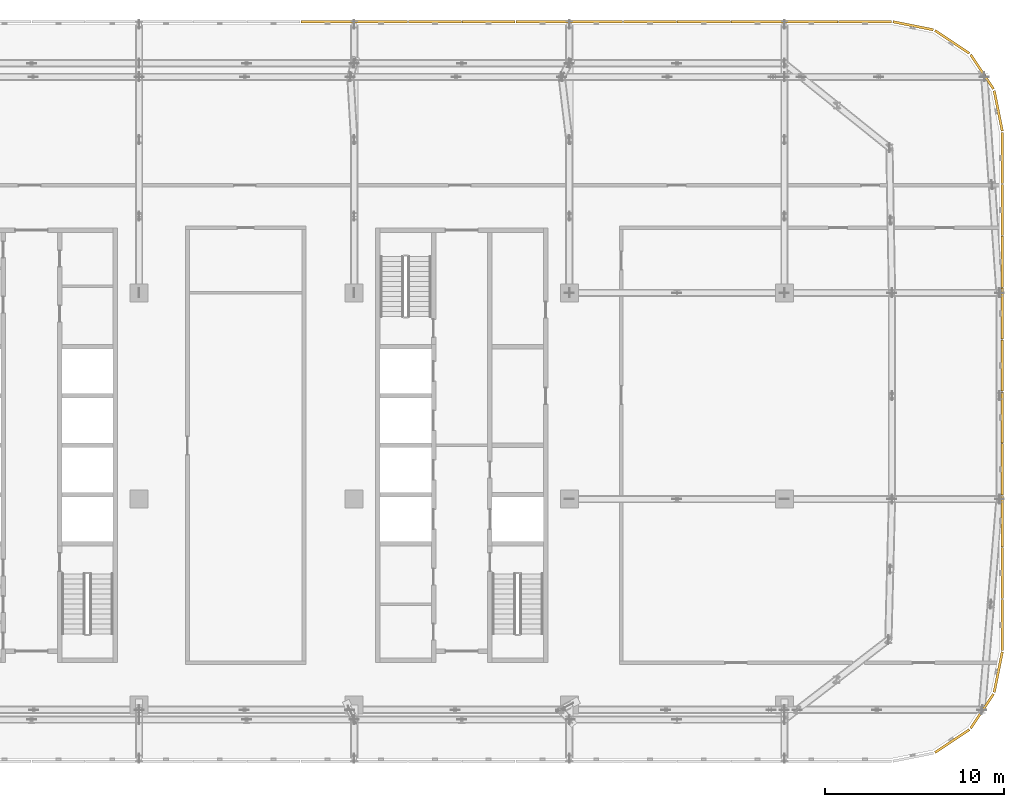
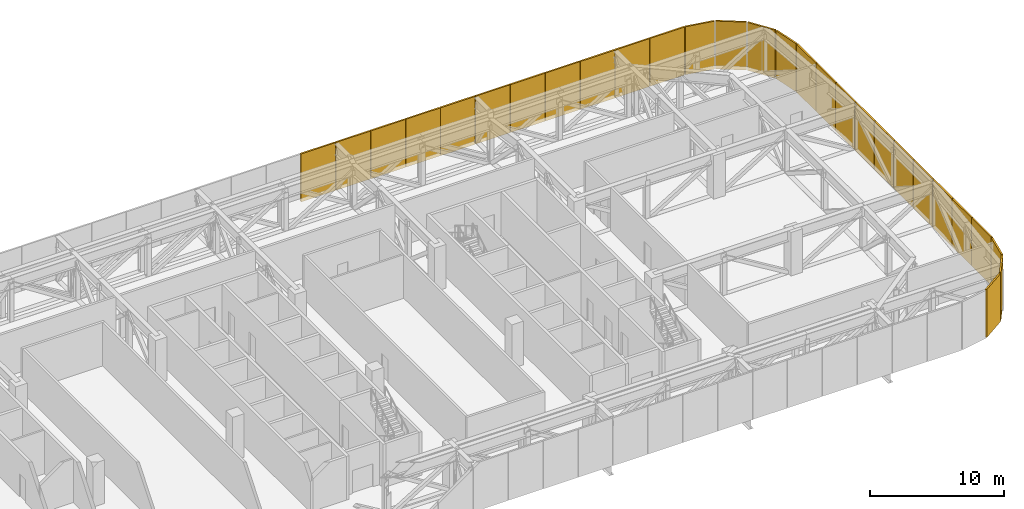
# One storey, part 29 of 29: 28 coverings.
"""IFC4 building model written with IfcOpenShell, lengths in metres."""

import ifcopenshell
import ifcopenshell.guid

model = None  # the IFC model being written
_history = None  # IfcOwnerHistory: only IFC2X3 demands one
_inside = {}  # id of a spatial element -> (the spatial element, [elements in it])
_under = {}  # id of a project, library or spatial element -> (it, [spatial elements below it])
_declared = {}  # id of a project -> (the project, [libraries it declares])
_typed = {}  # id of a type object -> (the type object, [elements of that type])
_made_of = {}  # id of a material, layer set ... -> (it, [elements and type objects made of it])


def new_model(schema):
    """Start an empty IFC model of exactly this schema.

    Asked for "IFC4X3", IfcOpenShell would pick the latest addendum, in which some entities
    have other attributes; the version numbers below select the first issue.
    IFC2X3 requires an IfcOwnerHistory on every rooted entity: one is made here for all.
    """
    global model, _history
    if schema == "IFC4X3":
        model = ifcopenshell.file(schema_version=(4, 3, 0, 0))
    else:
        model = ifcopenshell.file(schema=schema)
    _inside.clear()
    _under.clear()
    _declared.clear()
    _typed.clear()
    _made_of.clear()
    _history = None
    if model.schema == "IFC2X3":
        org = make("IfcOrganization", Name="unknown")
        user = make(
            "IfcPersonAndOrganization",
            ThePerson=make("IfcPerson", FamilyName="unknown"),
            TheOrganization=org,
        )
        app = make(
            "IfcApplication",
            ApplicationDeveloper=org,
            Version="unknown",
            ApplicationFullName="unknown",
            ApplicationIdentifier="unknown",
        )
        _history = make(
            "IfcOwnerHistory",
            OwningUser=user,
            OwningApplication=app,
            ChangeAction="ADDED",
            CreationDate=0,
        )
    return model


def make(cls, **values):
    """One entity of the class cls with the attributes given. An attribute that is None is left unset."""
    return model.create_entity(
        cls, **{name: value for name, value in values.items() if value is not None}
    )


def rooted(cls, **values):
    """An entity with a GlobalId (a new one), such as an element, a storey or a relation."""
    return make(cls, GlobalId=ifcopenshell.guid.new(), OwnerHistory=_history, **values)


def si_unit(unit_type, name, prefix=None):
    """IfcSIUnit, for example si_unit("LENGTHUNIT", "METRE", prefix="MILLI")."""
    return make("IfcSIUnit", UnitType=unit_type, Prefix=prefix, Name=name)


def assignment(units):
    """IfcUnitAssignment: the units of a project."""
    return None if units is None else make("IfcUnitAssignment", Units=units)


def point(xyz):
    """IfcCartesianPoint."""
    return None if xyz is None else make("IfcCartesianPoint", Coordinates=xyz)


def direction(xyz):
    """IfcDirection."""
    return None if xyz is None else make("IfcDirection", DirectionRatios=xyz)


def frame(location, z_axis=None, x_axis=None):
    """IfcAxis2Placement3D, a coordinate frame: its origin and axes. An axis left out is left unset."""
    return make(
        "IfcAxis2Placement3D",
        Location=point(location),
        Axis=direction(z_axis),
        RefDirection=direction(x_axis),
    )


def frame_2d(location, x_axis=None):
    """IfcAxis2Placement2D, a coordinate frame in the plane: its origin and x axis."""
    return make(
        "IfcAxis2Placement2D", Location=point(location), RefDirection=direction(x_axis)
    )


def origin():
    """The frame at (0, 0, 0) with its axes left unset."""
    return frame((0.0, 0.0, 0.0))


def origin_2d():
    """The frame at (0, 0) in the plane with its x axis left unset."""
    return frame_2d((0.0, 0.0))


def place(relative_to, where):
    """IfcLocalPlacement: puts the frame where relative to a parent placement (None: the world)."""
    return make(
        "IfcLocalPlacement", PlacementRelTo=relative_to, RelativePlacement=where
    )


def context(
    kind, dimensions, precision=None, world=None, true_north=None, identifier=None
):
    """IfcGeometricRepresentationContext, for example the 3D "Model" context."""
    return make(
        "IfcGeometricRepresentationContext",
        ContextIdentifier=identifier,
        ContextType=kind,
        CoordinateSpaceDimension=dimensions,
        Precision=precision,
        WorldCoordinateSystem=world,
        TrueNorth=true_north,
    )


def subcontext(parent, identifier, kind, view, scale=None):
    """IfcGeometricRepresentationSubContext, for example "Body" below "Model"."""
    return make(
        "IfcGeometricRepresentationSubContext",
        ContextIdentifier=identifier,
        ContextType=kind,
        ParentContext=parent,
        TargetScale=scale,
        TargetView=view,
    )


def project(units=None, contexts=None):
    """IfcProject with its units and contexts."""
    return rooted(
        "IfcProject",
        Name="project",
        RepresentationContexts=contexts,
        UnitsInContext=assignment(units),
    )


def spatial(cls, under=None, at=None, **own):
    """A site, building, storey or space (cls), placed at a placement, below another one or the project."""
    s = rooted(cls, ObjectPlacement=at, **own)
    if under is not None:
        _under.setdefault(under.id(), (under, []))[1].append(s)
    return s


def profile(cls, at=None, kind="AREA", **sizes):
    """A parametric profile (cls). Its sizes go by their IFC names, for example OverallWidth=200.0."""
    return make(cls, ProfileType=kind, Position=at, **sizes)


def rectangle(**sizes):
    """IfcRectangleProfileDef."""
    return profile("IfcRectangleProfileDef", **sizes)


def extrude(swept, where, along, depth):
    """IfcExtrudedAreaSolid: the profile swept, set in the frame where, extruded along a direction by depth."""
    return make(
        "IfcExtrudedAreaSolid",
        SweptArea=swept,
        Position=where,
        ExtrudedDirection=direction(along),
        Depth=depth,
    )


def shape(context_of_items, identifier, shape_type, items):
    """IfcShapeRepresentation: the items that make up one representation, for example the "Body"."""
    return make(
        "IfcShapeRepresentation",
        ContextOfItems=context_of_items,
        RepresentationIdentifier=identifier,
        RepresentationType=shape_type,
        Items=items,
    )


def material(Name=None, Category=None):
    """IfcMaterial."""
    return make("IfcMaterial", Name=Name, Category=Category)


def made_of(thing, what):
    """Note that an element or type object is made of a material, layer set ...; save() writes the relation."""
    if what is not None:
        _made_of.setdefault(what.id(), (what, []))[1].append(thing)
    return thing


def type_object(cls, material=None, **own):
    """A type object (cls), such as IfcWallType, which elements share."""
    return made_of(rooted(cls, **own), material)


def element(
    cls,
    number,
    at=None,
    inside=None,
    cuts=None,
    type_object=None,
    material=None,
    context=None,
    identifier="Body",
    shape_type=None,
    held_by="IfcProductDefinitionShape",
    body=None,
    shapes=None,
    **own,
):
    """One element of the class cls, such as IfcWall. Its Tag is "e" and its number.

    at: its placement. inside: the storey or other place that contains it. cuts: it is an
    opening in that element (IfcRelVoidsElement). A single representation is given by context,
    identifier, shape_type and body (its items); several are given by shapes. held_by: the class
    of the entity that holds the representations. save() writes the other relations.
    """
    e = rooted(cls, Tag="e%d" % number, ObjectPlacement=at, **own)
    if body is not None:
        shapes = [shape(context, identifier, shape_type, body)]
    if shapes is not None:
        e.Representation = make(held_by, Representations=shapes)
    if inside is not None:
        _inside.setdefault(inside.id(), (inside, []))[1].append(e)
    if cuts is not None:
        rooted(
            "IfcRelVoidsElement", RelatingBuildingElement=cuts, RelatedOpeningElement=e
        )
    if type_object is not None:
        _typed.setdefault(type_object.id(), (type_object, []))[1].append(e)
    return made_of(e, material)


def aggregate(whole, parts):
    """IfcRelAggregates: a whole, such as a stair, and the parts it consists of."""
    return rooted("IfcRelAggregates", RelatingObject=whole, RelatedObjects=parts)


def save(model, path):
    """Write the relations noted so far, then the file.

    IfcRelAggregates (storeys below a building ...), IfcRelContainedInSpatialStructure (elements
    in a storey), IfcRelDefinesByType, IfcRelAssociatesMaterial and IfcRelDeclares: one each for
    every whole, place, type object, material and project.
    """
    for whole, parts in _under.values():
        aggregate(whole, parts)
    for where, things in _inside.values():
        rooted(
            "IfcRelContainedInSpatialStructure",
            RelatedElements=things,
            RelatingStructure=where,
        )
    for kind, things in _typed.values():
        rooted("IfcRelDefinesByType", RelatedObjects=things, RelatingType=kind)
    for what, things in _made_of.values():
        rooted("IfcRelAssociatesMaterial", RelatedObjects=things, RelatingMaterial=what)
    for by, libraries in _declared.values():
        rooted("IfcRelDeclares", RelatingContext=by, RelatedDefinitions=libraries)
    model.write(path)


model = new_model("IFC4")

# Units and contexts
model_context = context("Model", 3, precision=1e-05, world=origin(), true_north=direction((0.0, 1.0)))
body_context = subcontext(model_context, "Body", "Model", "MODEL_VIEW")
ifc_project = project(units=[si_unit("LENGTHUNIT", "METRE"), si_unit("AREAUNIT", "SQUARE_METRE"), si_unit("VOLUMEUNIT", "CUBIC_METRE"), si_unit("PLANEANGLEUNIT", "RADIAN"), si_unit("MASSUNIT", "GRAM", prefix="KILO")], contexts=[model_context])

# Site, building, storey
site_placement = place(None, origin())
site = spatial("IfcSite", under=ifc_project, at=site_placement, CompositionType="ELEMENT")
building_placement = place(site_placement, origin())
building = spatial("IfcBuilding", under=site, at=building_placement, Name="Mahtab Terrace Research Tower", CompositionType="ELEMENT")
storey_placement = place(building_placement, frame((0.0, 0.0, 259.0)))
storey = spatial("IfcBuildingStorey", under=building, at=storey_placement, Name="L63", CompositionType="ELEMENT", Elevation=259.0)

# Coverings
ifc_material = material(Name="Natural anodised aluminium", Category="aluminium")
covering_type = type_object("IfcCoveringType", Name="Plant storey louvre bay", PredefinedType="CLADDING", material=ifc_material)
for number, where, z_axis, x_axis, name in (
    (1, (51.3583984375, -13.4990234375, -0.39990234375), (0.0, 0.0, 1.0), (0.831655794326, 0.555291490808, 0.0), "Louvre bay L63 31"),
    (2, (53.026123046875, -11.831298828125, -0.39990234375), (0.0, 0.0, 1.0), (0.555291490808, 0.831655794326, 0.0), "Louvre bay L63 32"),
    (3, (53.928466796875, -9.65234375, -0.39990234375), (0.0, 0.0, 1.0), (0.195212442692, 0.980760981187, 0.0), "Louvre bay L63 33"),
):
    element("IfcCovering", number, at=place(storey_placement, frame(where, z_axis=z_axis, x_axis=x_axis)), inside=storey, type_object=covering_type, Name=name, PredefinedType="CLADDING", context=body_context, shape_type="SweptSolid", body=[
        extrude(rectangle(XDim=2.301025390625, YDim=0.139892578125, at=origin_2d()), origin(), (0.0, 0.0, 1.0), 4.360107421875),
    ])
for number, where, z_axis, x_axis, name in (
    (4, (54.159912109375, -7.025634765625, -0.39990234375), (0.0, 0.0, 1.0), (0.0, 1.0, 0.0), "Louvre bay L63 34"),
    (5, (54.159912109375, -4.131103515625, -0.39990234375), (0.0, 0.0, 1.0), (0.0, 1.0, 0.0), "Louvre bay L63 35"),
    (6, (54.159912109375, -1.236572265625, -0.39990234375), (0.0, 0.0, 1.0), (0.0, 1.0, 0.0), "Louvre bay L63 36"),
    (7, (54.159912109375, 1.658203125, -0.39990234375), (0.0, 0.0, 1.0), (0.0, 1.0, 0.0), "Louvre bay L63 37"),
    (8, (54.159912109375, 4.552734375, -0.39990234375), (0.0, 0.0, 1.0), (0.0, 1.0, 0.0), "Louvre bay L63 38"),
    (9, (54.159912109375, 7.447265625, -0.39990234375), (0.0, 0.0, 1.0), (0.0, 1.0, 0.0), "Louvre bay L63 39"),
    (10, (54.159912109375, 10.341796875, -0.39990234375), (0.0, 0.0, 1.0), (0.0, 1.0, 0.0), "Louvre bay L63 40"),
    (11, (54.159912109375, 13.236572265625, -0.39990234375), (0.0, 0.0, 1.0), (0.0, 1.0, 0.0), "Louvre bay L63 41"),
    (12, (54.159912109375, 16.131103515625, -0.39990234375), (0.0, 0.0, 1.0), (0.0, 1.0, 0.0), "Louvre bay L63 42"),
    (13, (54.159912109375, 19.025634765625, -0.39990234375), (0.0, 0.0, 1.0), (0.0, 1.0, 0.0), "Louvre bay L63 43"),
):
    element("IfcCovering", number, at=place(storey_placement, frame(where, z_axis=z_axis, x_axis=x_axis)), inside=storey, type_object=covering_type, Name=name, PredefinedType="CLADDING", context=body_context, shape_type="SweptSolid", body=[
        extrude(rectangle(XDim=2.8544921875, YDim=0.139892578125, at=origin_2d()), origin(), (0.0, 0.0, 1.0), 4.360107421875),
    ])
for number, where, z_axis, x_axis, name in (
    (14, (53.928466796875, 21.65234375, -0.39990234375), (0.0, 0.0, 1.0), (-0.195212442692, 0.980760981187, 0.0), "Louvre bay L63 44"),
    (15, (53.026123046875, 23.831298828125, -0.39990234375), (0.0, 0.0, 1.0), (-0.555291490808, 0.831655794326, 0.0), "Louvre bay L63 45"),
    (16, (51.3583984375, 25.4990234375, -0.39990234375), (0.0, 0.0, 1.0), (-0.831655794326, 0.555291490808, 0.0), "Louvre bay L63 46"),
    (17, (49.17919921875, 26.4013671875, -0.39990234375), (0.0, 0.0, 1.0), (-0.980760981187, 0.195212442692, 0.0), "Louvre bay L63 47"),
):
    element("IfcCovering", number, at=place(storey_placement, frame(where, z_axis=z_axis, x_axis=x_axis)), inside=storey, type_object=covering_type, Name=name, PredefinedType="CLADDING", context=body_context, shape_type="SweptSolid", body=[
        extrude(rectangle(XDim=2.301025390625, YDim=0.139892578125, at=origin_2d()), origin(), (0.0, 0.0, 1.0), 4.360107421875),
    ])
for number, where, z_axis, x_axis, name in (
    (18, (46.5, 26.633056640625, -0.39990234375), (0.0, 0.0, 1.0), (-1.0, 0.0, 0.0), "Louvre bay L63 48"),
    (19, (43.5, 26.633056640625, -0.39990234375), (0.0, 0.0, 1.0), (-1.0, 0.0, 0.0), "Louvre bay L63 49"),
    (20, (40.5, 26.633056640625, -0.39990234375), (0.0, 0.0, 1.0), (-1.0, 0.0, 0.0), "Louvre bay L63 50"),
    (21, (37.5, 26.633056640625, -0.39990234375), (0.0, 0.0, 1.0), (-1.0, 0.0, 0.0), "Louvre bay L63 51"),
    (22, (34.5, 26.633056640625, -0.39990234375), (0.0, 0.0, 1.0), (-1.0, 0.0, 0.0), "Louvre bay L63 52"),
    (23, (31.5, 26.633056640625, -0.39990234375), (0.0, 0.0, 1.0), (-1.0, 0.0, 0.0), "Louvre bay L63 53"),
    (24, (28.5, 26.633056640625, -0.39990234375), (0.0, 0.0, 1.0), (-1.0, 0.0, 0.0), "Louvre bay L63 54"),
    (25, (25.5, 26.633056640625, -0.39990234375), (0.0, 0.0, 1.0), (-1.0, 0.0, 0.0), "Louvre bay L63 55"),
    (26, (22.5, 26.633056640625, -0.39990234375), (0.0, 0.0, 1.0), (-1.0, 0.0, 0.0), "Louvre bay L63 56"),
    (27, (19.5, 26.633056640625, -0.39990234375), (0.0, 0.0, 1.0), (-1.0, 0.0, 0.0), "Louvre bay L63 57"),
    (28, (16.5, 26.633056640625, -0.39990234375), (0.0, 0.0, 1.0), (-1.0, 0.0, 0.0), "Louvre bay L63 58"),
):
    element("IfcCovering", number, at=place(storey_placement, frame(where, z_axis=z_axis, x_axis=x_axis)), inside=storey, type_object=covering_type, Name=name, PredefinedType="CLADDING", context=body_context, shape_type="SweptSolid", body=[
        extrude(rectangle(XDim=2.9599609375, YDim=0.139892578125, at=origin_2d()), origin(), (0.0, 0.0, 1.0), 4.360107421875),
    ])

save(model, "model.ifc")
